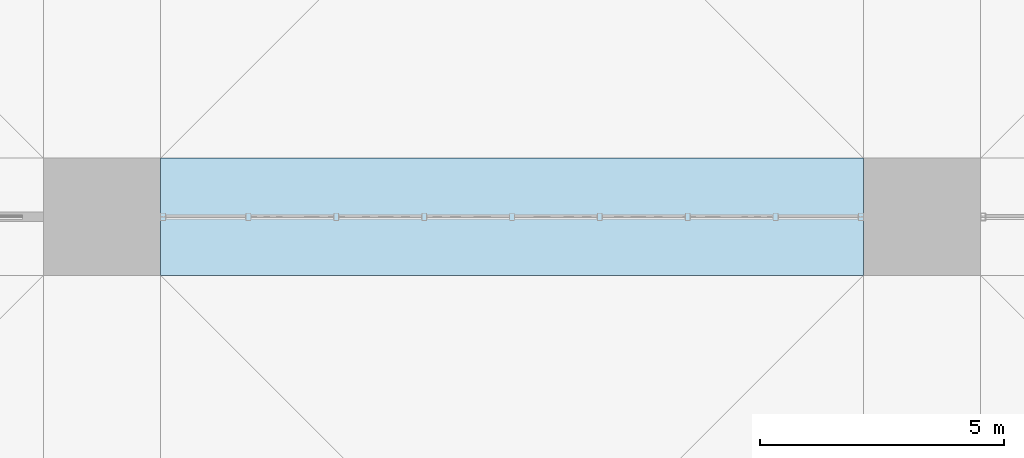
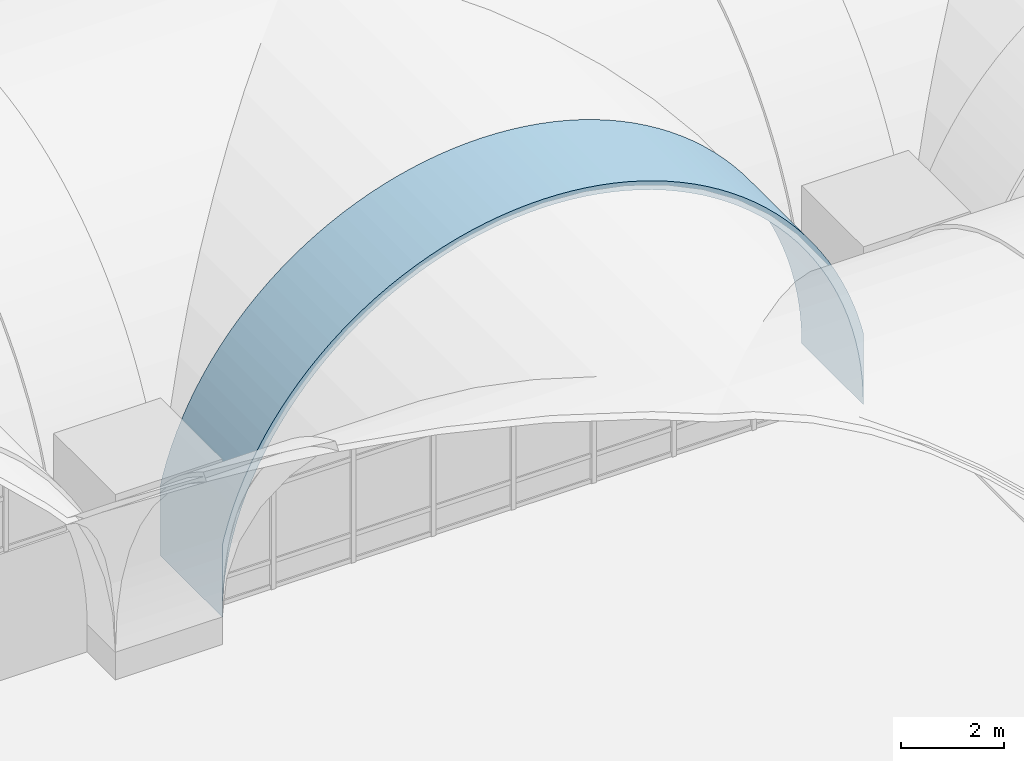
# One storey, part 116 of 169: 1 roof.
"""IFC4 building model written with IfcOpenShell, lengths in metres."""

from ifc_helpers import new_model, si_unit, direction, frame, origin, place, context, subcontext, project, spatial, polygons, material, layer, layer_set, type_object, element, save


model = new_model("IFC4")

# Units and contexts
model_context = context("Model", 3, precision=1e-05, world=origin(), true_north=direction((0.0, 1.0)))
body_context = subcontext(model_context, "Body", "Model", "MODEL_VIEW")
ifc_project = project(units=[si_unit("LENGTHUNIT", "METRE"), si_unit("AREAUNIT", "SQUARE_METRE"), si_unit("VOLUMEUNIT", "CUBIC_METRE"), si_unit("PLANEANGLEUNIT", "RADIAN"), si_unit("MASSUNIT", "GRAM", prefix="KILO")], contexts=[model_context])

# Site, building, storey
site_placement = place(None, origin())
site = spatial("IfcSite", under=ifc_project, at=site_placement, CompositionType="ELEMENT")
building_placement = place(site_placement, origin())
building = spatial("IfcBuilding", under=site, at=building_placement, Name="Verrick Yard Athletic Hall", CompositionType="ELEMENT")
storey_placement = place(building_placement, frame((0.0, 0.0, 4.39990234375)))
storey = spatial("IfcBuildingStorey", under=building, at=storey_placement, Name="L01", CompositionType="ELEMENT", Elevation=4.39990234375)

# Roof
ifc_material = material(Name="Concrete 35 MPa", Category="concrete")
ifc_layer = layer(ifc_material, 0.199951171875)
ifc_layer_set = layer_set([ifc_layer], Name="Arch rib 200")
roof_type = type_object("IfcRoofType", Name="Arch rib 200", PredefinedType="BARREL_ROOF", material=ifc_layer_set)
roof_placement = place(storey_placement, origin())
element("IfcRoof", 1, at=roof_placement, inside=storey, type_object=roof_type, Name="Vault rib M2", PredefinedType="BARREL_ROOF", context=body_context, shape_type="Tessellation", body=[
    polygons([(58.0, 34.800048828125, 2.352294921875), (58.0, 34.800048828125, 0.650146484375), (58.0068359375, 34.800048828125, 0.964111328125), (58.02734375, 34.800048828125, 1.277587890625), (58.0615234375, 34.800048828125, 1.58984375), (58.109375, 34.800048828125, 1.900390625), (58.170654296875, 34.800048828125, 2.20849609375), (58.245361328125, 34.800048828125, 2.513671875), (58.333251953125, 34.800048828125, 2.815185546875), (58.43408203125, 34.800048828125, 3.112548828125), (58.548095703125, 34.800048828125, 3.405517578125), (58.674560546875, 34.800048828125, 3.693115234375), (58.8134765625, 34.800048828125, 3.974609375), (58.964599609375, 34.800048828125, 4.25), (59.127685546875, 34.800048828125, 4.518798828125), (59.302001953125, 34.800048828125, 4.77978515625), (59.48779296875, 34.800048828125, 5.033203125), (59.6845703125, 34.800048828125, 5.278076171875), (59.8916015625, 34.800048828125, 5.514404296875), (60.10888671875, 34.800048828125, 5.7412109375), (60.335693359375, 34.800048828125, 5.95849609375), (60.572021484375, 34.800048828125, 6.16552734375), (60.81689453125, 34.800048828125, 6.3623046875), (61.0703125, 34.800048828125, 6.548095703125), (61.331298828125, 34.800048828125, 6.722412109375), (61.60009765625, 34.800048828125, 6.885498046875), (61.87548828125, 34.800048828125, 7.03662109375), (62.156982421875, 34.800048828125, 7.175537109375), (62.444580078125, 34.800048828125, 7.302001953125), (62.737548828125, 34.800048828125, 7.416015625), (63.034912109375, 34.800048828125, 7.516845703125), (63.33642578125, 34.800048828125, 7.604736328125), (63.6416015625, 34.800048828125, 7.679443359375), (63.94970703125, 34.800048828125, 7.74072265625), (64.26025390625, 34.800048828125, 7.78857421875), (64.572509765625, 34.800048828125, 7.82275390625), (64.885986328125, 34.800048828125, 7.84326171875), (65.199951171875, 34.800048828125, 7.85009765625), (65.51416015625, 34.800048828125, 7.84326171875), (65.827392578125, 34.800048828125, 7.82275390625), (66.139892578125, 34.800048828125, 7.78857421875), (66.4501953125, 34.800048828125, 7.74072265625), (66.75830078125, 34.800048828125, 7.679443359375), (67.0634765625, 34.800048828125, 7.604736328125), (67.364990234375, 34.800048828125, 7.516845703125), (67.66259765625, 34.800048828125, 7.416015625), (67.955322265625, 34.800048828125, 7.302001953125), (68.242919921875, 34.800048828125, 7.175537109375), (68.524658203125, 34.800048828125, 7.03662109375), (68.800048828125, 34.800048828125, 6.885498046875), (69.068603515625, 34.800048828125, 6.722412109375), (69.329833984375, 34.800048828125, 6.548095703125), (69.5830078125, 34.800048828125, 6.3623046875), (69.828125, 34.800048828125, 6.16552734375), (70.064208984375, 34.800048828125, 5.95849609375), (70.291259765625, 34.800048828125, 5.7412109375), (70.50830078125, 34.800048828125, 5.514404296875), (70.715576171875, 34.800048828125, 5.278076171875), (70.912109375, 34.800048828125, 5.033203125), (71.097900390625, 34.800048828125, 4.77978515625), (71.2724609375, 34.800048828125, 4.518798828125), (71.435302734375, 34.800048828125, 4.25), (71.58642578125, 34.800048828125, 3.974609375), (71.725341796875, 34.800048828125, 3.693115234375), (71.851806640625, 34.800048828125, 3.405517578125), (71.9658203125, 34.800048828125, 3.112548828125), (72.06689453125, 34.800048828125, 2.815185546875), (72.15478515625, 34.800048828125, 2.513671875), (72.229248046875, 34.800048828125, 2.20849609375), (72.29052734375, 34.800048828125, 1.900390625), (72.33837890625, 34.800048828125, 1.58984375), (72.37255859375, 34.800048828125, 1.277587890625), (72.39306640625, 34.800048828125, 0.964111328125), (72.39990234375, 34.800048828125, 0.650146484375), (72.39990234375, 34.800048828125, 2.352294921875), (72.347900390625, 34.800048828125, 2.5654296875), (72.257568359375, 34.800048828125, 2.875244140625), (72.15380859375, 34.800048828125, 3.180908203125), (72.03662109375, 34.800048828125, 3.48193359375), (71.90673828125, 34.800048828125, 3.777587890625), (71.763916015625, 34.800048828125, 4.06689453125), (71.608642578125, 34.800048828125, 4.35009765625), (71.441162109375, 34.800048828125, 4.6259765625), (71.26171875, 34.800048828125, 4.89453125), (71.07080078125, 34.800048828125, 5.15478515625), (70.86865234375, 34.800048828125, 5.40673828125), (70.656005859375, 34.800048828125, 5.6494140625), (70.4326171875, 34.800048828125, 5.8828125), (70.199462890625, 34.800048828125, 6.10595703125), (69.95654296875, 34.800048828125, 6.31884765625), (69.704833984375, 34.800048828125, 6.52099609375), (69.444580078125, 34.800048828125, 6.7119140625), (69.176025390625, 34.800048828125, 6.89111328125), (68.89990234375, 34.800048828125, 7.05859375), (68.616943359375, 34.800048828125, 7.214111328125), (68.327392578125, 34.800048828125, 7.356689453125), (68.031982421875, 34.800048828125, 7.48681640625), (67.73095703125, 34.800048828125, 7.603759765625), (67.42529296875, 34.800048828125, 7.70751953125), (67.115234375, 34.800048828125, 7.798095703125), (66.8017578125, 34.800048828125, 7.874755859375), (66.485107421875, 34.800048828125, 7.937744140625), (66.166015625, 34.800048828125, 7.98681640625), (65.844970703125, 34.800048828125, 8.02197265625), (65.522705078125, 34.800048828125, 8.043212890625), (65.199951171875, 34.800048828125, 8.050048828125), (64.877197265625, 34.800048828125, 8.043212890625), (64.554931640625, 34.800048828125, 8.02197265625), (64.234130859375, 34.800048828125, 7.98681640625), (63.9150390625, 34.800048828125, 7.937744140625), (63.598388671875, 34.800048828125, 7.874755859375), (63.28466796875, 34.800048828125, 7.798095703125), (62.974853515625, 34.800048828125, 7.70751953125), (62.669189453125, 34.800048828125, 7.603759765625), (62.3681640625, 34.800048828125, 7.48681640625), (62.072509765625, 34.800048828125, 7.356689453125), (61.783203125, 34.800048828125, 7.214111328125), (61.5, 34.800048828125, 7.05859375), (61.22412109375, 34.800048828125, 6.89111328125), (60.95556640625, 34.800048828125, 6.7119140625), (60.6953125, 34.800048828125, 6.52099609375), (60.443359375, 34.800048828125, 6.31884765625), (60.20068359375, 34.800048828125, 6.10595703125), (59.96728515625, 34.800048828125, 5.8828125), (59.744140625, 34.800048828125, 5.6494140625), (59.53125, 34.800048828125, 5.40673828125), (59.3291015625, 34.800048828125, 5.15478515625), (59.13818359375, 34.800048828125, 4.89453125), (58.958984375, 34.800048828125, 4.6259765625), (58.79150390625, 34.800048828125, 4.35009765625), (58.635986328125, 34.800048828125, 4.06689453125), (58.493408203125, 34.800048828125, 3.777587890625), (58.36328125, 34.800048828125, 3.48193359375), (58.246337890625, 34.800048828125, 3.180908203125), (58.142578125, 34.800048828125, 2.875244140625), (58.052001953125, 34.800048828125, 2.5654296875), (58.0, 37.199951171875, 2.352294921875), (58.0, 37.199951171875, 0.650146484375), (58.0068359375, 37.199951171875, 0.964111328125), (58.02734375, 37.199951171875, 1.277587890625), (58.0615234375, 37.199951171875, 1.58984375), (58.109375, 37.199951171875, 1.900390625), (58.170654296875, 37.199951171875, 2.20849609375), (58.245361328125, 37.199951171875, 2.513671875), (58.333251953125, 37.199951171875, 2.815185546875), (58.43408203125, 37.199951171875, 3.112548828125), (58.548095703125, 37.199951171875, 3.405517578125), (58.674560546875, 37.199951171875, 3.693115234375), (58.8134765625, 37.199951171875, 3.974609375), (58.964599609375, 37.199951171875, 4.25), (59.127685546875, 37.199951171875, 4.518798828125), (59.302001953125, 37.199951171875, 4.77978515625), (59.48779296875, 37.199951171875, 5.033203125), (59.6845703125, 37.199951171875, 5.278076171875), (59.8916015625, 37.199951171875, 5.514404296875), (60.10888671875, 37.199951171875, 5.7412109375), (60.335693359375, 37.199951171875, 5.95849609375), (60.572021484375, 37.199951171875, 6.16552734375), (60.81689453125, 37.199951171875, 6.3623046875), (61.0703125, 37.199951171875, 6.548095703125), (61.331298828125, 37.199951171875, 6.722412109375), (61.60009765625, 37.199951171875, 6.885498046875), (61.87548828125, 37.199951171875, 7.03662109375), (62.156982421875, 37.199951171875, 7.175537109375), (62.444580078125, 37.199951171875, 7.302001953125), (62.737548828125, 37.199951171875, 7.416015625), (63.034912109375, 37.199951171875, 7.516845703125), (63.33642578125, 37.199951171875, 7.604736328125), (63.6416015625, 37.199951171875, 7.679443359375), (63.94970703125, 37.199951171875, 7.74072265625), (64.26025390625, 37.199951171875, 7.78857421875), (64.572509765625, 37.199951171875, 7.82275390625), (64.885986328125, 37.199951171875, 7.84326171875), (65.199951171875, 37.199951171875, 7.85009765625), (65.51416015625, 37.199951171875, 7.84326171875), (65.827392578125, 37.199951171875, 7.82275390625), (66.139892578125, 37.199951171875, 7.78857421875), (66.4501953125, 37.199951171875, 7.74072265625), (66.75830078125, 37.199951171875, 7.679443359375), (67.0634765625, 37.199951171875, 7.604736328125), (67.364990234375, 37.199951171875, 7.516845703125), (67.66259765625, 37.199951171875, 7.416015625), (67.955322265625, 37.199951171875, 7.302001953125), (68.242919921875, 37.199951171875, 7.175537109375), (68.524658203125, 37.199951171875, 7.03662109375), (68.800048828125, 37.199951171875, 6.885498046875), (69.068603515625, 37.199951171875, 6.722412109375), (69.329833984375, 37.199951171875, 6.548095703125), (69.5830078125, 37.199951171875, 6.3623046875), (69.828125, 37.199951171875, 6.16552734375), (70.064208984375, 37.199951171875, 5.95849609375), (70.291259765625, 37.199951171875, 5.7412109375), (70.50830078125, 37.199951171875, 5.514404296875), (70.715576171875, 37.199951171875, 5.278076171875), (70.912109375, 37.199951171875, 5.033203125), (71.097900390625, 37.199951171875, 4.77978515625), (71.2724609375, 37.199951171875, 4.518798828125), (71.435302734375, 37.199951171875, 4.25), (71.58642578125, 37.199951171875, 3.974609375), (71.725341796875, 37.199951171875, 3.693115234375), (71.851806640625, 37.199951171875, 3.405517578125), (71.9658203125, 37.199951171875, 3.112548828125), (72.06689453125, 37.199951171875, 2.815185546875), (72.15478515625, 37.199951171875, 2.513671875), (72.229248046875, 37.199951171875, 2.20849609375), (72.29052734375, 37.199951171875, 1.900390625), (72.33837890625, 37.199951171875, 1.58984375), (72.37255859375, 37.199951171875, 1.277587890625), (72.39306640625, 37.199951171875, 0.964111328125), (72.39990234375, 37.199951171875, 0.650146484375), (72.39990234375, 37.199951171875, 2.352294921875), (72.347900390625, 37.199951171875, 2.5654296875), (72.257568359375, 37.199951171875, 2.875244140625), (72.15380859375, 37.199951171875, 3.180908203125), (72.03662109375, 37.199951171875, 3.48193359375), (71.90673828125, 37.199951171875, 3.777587890625), (71.763916015625, 37.199951171875, 4.06689453125), (71.608642578125, 37.199951171875, 4.35009765625), (71.441162109375, 37.199951171875, 4.6259765625), (71.26171875, 37.199951171875, 4.89453125), (71.07080078125, 37.199951171875, 5.15478515625), (70.86865234375, 37.199951171875, 5.40673828125), (70.656005859375, 37.199951171875, 5.6494140625), (70.4326171875, 37.199951171875, 5.8828125), (70.199462890625, 37.199951171875, 6.10595703125), (69.95654296875, 37.199951171875, 6.31884765625), (69.704833984375, 37.199951171875, 6.52099609375), (69.444580078125, 37.199951171875, 6.7119140625), (69.176025390625, 37.199951171875, 6.89111328125), (68.89990234375, 37.199951171875, 7.05859375), (68.616943359375, 37.199951171875, 7.214111328125), (68.327392578125, 37.199951171875, 7.356689453125), (68.031982421875, 37.199951171875, 7.48681640625), (67.73095703125, 37.199951171875, 7.603759765625), (67.42529296875, 37.199951171875, 7.70751953125), (67.115234375, 37.199951171875, 7.798095703125), (66.8017578125, 37.199951171875, 7.874755859375), (66.485107421875, 37.199951171875, 7.937744140625), (66.166015625, 37.199951171875, 7.98681640625), (65.844970703125, 37.199951171875, 8.02197265625), (65.522705078125, 37.199951171875, 8.043212890625), (65.199951171875, 37.199951171875, 8.050048828125), (64.877197265625, 37.199951171875, 8.043212890625), (64.554931640625, 37.199951171875, 8.02197265625), (64.234130859375, 37.199951171875, 7.98681640625), (63.9150390625, 37.199951171875, 7.937744140625), (63.598388671875, 37.199951171875, 7.874755859375), (63.28466796875, 37.199951171875, 7.798095703125), (62.974853515625, 37.199951171875, 7.70751953125), (62.669189453125, 37.199951171875, 7.603759765625), (62.3681640625, 37.199951171875, 7.48681640625), (62.072509765625, 37.199951171875, 7.356689453125), (61.783203125, 37.199951171875, 7.214111328125), (61.5, 37.199951171875, 7.05859375), (61.22412109375, 37.199951171875, 6.89111328125), (60.95556640625, 37.199951171875, 6.7119140625), (60.6953125, 37.199951171875, 6.52099609375), (60.443359375, 37.199951171875, 6.31884765625), (60.20068359375, 37.199951171875, 6.10595703125), (59.96728515625, 37.199951171875, 5.8828125), (59.744140625, 37.199951171875, 5.6494140625), (59.53125, 37.199951171875, 5.40673828125), (59.3291015625, 37.199951171875, 5.15478515625), (59.13818359375, 37.199951171875, 4.89453125), (58.958984375, 37.199951171875, 4.6259765625), (58.79150390625, 37.199951171875, 4.35009765625), (58.635986328125, 37.199951171875, 4.06689453125), (58.493408203125, 37.199951171875, 3.777587890625), (58.36328125, 37.199951171875, 3.48193359375), (58.246337890625, 37.199951171875, 3.180908203125), (58.142578125, 37.199951171875, 2.875244140625), (58.052001953125, 37.199951171875, 2.5654296875)], [[[1, 2, 3]], [[137, 139, 138]], [[136, 1, 3]], [[272, 139, 137]], [[136, 3, 4]], [[272, 140, 139]], [[136, 4, 5]], [[272, 141, 140]], [[136, 5, 6]], [[272, 142, 141]], [[136, 6, 7]], [[272, 143, 142]], [[136, 7, 8]], [[272, 144, 143]], [[136, 8, 9]], [[272, 145, 144]], [[136, 9, 10]], [[272, 146, 145]], [[136, 10, 11]], [[272, 147, 146]], [[136, 11, 12]], [[272, 148, 147]], [[136, 12, 13]], [[272, 149, 148]], [[73, 74, 75]], [[209, 211, 210]], [[72, 73, 75]], [[208, 211, 209]], [[71, 72, 75]], [[207, 211, 208]], [[70, 71, 75]], [[206, 211, 207]], [[69, 70, 75]], [[205, 211, 206]], [[68, 69, 75]], [[204, 211, 205]], [[67, 68, 75]], [[203, 211, 204]], [[66, 67, 75]], [[202, 211, 203]], [[65, 66, 75]], [[201, 211, 202]], [[64, 65, 75]], [[200, 211, 201]], [[63, 64, 75]], [[199, 211, 200]], [[63, 75, 76]], [[199, 212, 211]], [[63, 76, 77]], [[199, 213, 212]], [[62, 63, 77]], [[198, 213, 199]], [[62, 77, 78]], [[198, 214, 213]], [[61, 62, 78]], [[197, 214, 198]], [[61, 78, 79]], [[197, 215, 214]], [[60, 61, 79]], [[196, 215, 197]], [[60, 79, 80]], [[196, 216, 215]], [[59, 60, 80]], [[195, 216, 196]], [[59, 80, 81]], [[195, 217, 216]], [[58, 59, 81]], [[194, 217, 195]], [[58, 81, 82]], [[194, 218, 217]], [[57, 58, 82]], [[193, 218, 194]], [[57, 82, 83]], [[193, 219, 218]], [[56, 57, 83]], [[192, 219, 193]], [[56, 83, 84]], [[192, 220, 219]], [[55, 56, 84]], [[191, 220, 192]], [[55, 84, 85]], [[191, 221, 220]], [[54, 55, 85]], [[190, 221, 191]], [[54, 85, 86]], [[190, 222, 221]], [[53, 54, 86]], [[189, 222, 190]], [[53, 86, 87]], [[189, 223, 222]], [[52, 53, 87]], [[188, 223, 189]], [[52, 87, 88]], [[188, 224, 223]], [[51, 52, 88]], [[187, 224, 188]], [[51, 88, 89]], [[187, 225, 224]], [[50, 51, 89]], [[186, 225, 187]], [[50, 89, 90]], [[186, 226, 225]], [[49, 50, 90]], [[185, 226, 186]], [[49, 90, 91]], [[185, 227, 226]], [[48, 49, 91]], [[184, 227, 185]], [[48, 91, 92]], [[184, 228, 227]], [[47, 48, 92]], [[183, 228, 184]], [[47, 92, 93]], [[183, 229, 228]], [[46, 47, 93]], [[182, 229, 183]], [[46, 93, 94]], [[182, 230, 229]], [[45, 46, 94]], [[181, 230, 182]], [[45, 94, 95]], [[181, 231, 230]], [[44, 45, 95]], [[180, 231, 181]], [[44, 95, 96]], [[180, 232, 231]], [[43, 44, 96]], [[179, 232, 180]], [[43, 96, 97]], [[179, 233, 232]], [[42, 43, 97]], [[178, 233, 179]], [[42, 97, 98]], [[178, 234, 233]], [[41, 42, 98]], [[177, 234, 178]], [[41, 98, 99]], [[177, 235, 234]], [[40, 41, 99]], [[176, 235, 177]], [[40, 99, 100]], [[176, 236, 235]], [[39, 40, 100]], [[175, 236, 176]], [[39, 100, 101]], [[175, 237, 236]], [[38, 39, 101]], [[174, 237, 175]], [[38, 101, 102]], [[174, 238, 237]], [[37, 38, 102]], [[173, 238, 174]], [[37, 102, 103]], [[173, 239, 238]], [[36, 37, 103]], [[172, 239, 173]], [[36, 103, 104]], [[172, 240, 239]], [[35, 36, 104]], [[171, 240, 172]], [[35, 104, 105]], [[171, 241, 240]], [[34, 35, 105]], [[170, 241, 171]], [[34, 105, 106]], [[170, 242, 241]], [[33, 34, 106]], [[169, 242, 170]], [[33, 106, 107]], [[169, 243, 242]], [[32, 33, 107]], [[168, 243, 169]], [[32, 107, 108]], [[168, 244, 243]], [[31, 32, 108]], [[167, 244, 168]], [[31, 108, 109]], [[167, 245, 244]], [[30, 31, 109]], [[166, 245, 167]], [[30, 109, 110]], [[166, 246, 245]], [[29, 30, 110]], [[165, 246, 166]], [[29, 110, 111]], [[165, 247, 246]], [[28, 29, 111]], [[164, 247, 165]], [[28, 111, 112]], [[164, 248, 247]], [[27, 28, 112]], [[163, 248, 164]], [[27, 112, 113]], [[163, 249, 248]], [[26, 27, 113]], [[162, 249, 163]], [[26, 113, 114]], [[162, 250, 249]], [[25, 26, 114]], [[161, 250, 162]], [[25, 114, 115]], [[161, 251, 250]], [[24, 25, 115]], [[160, 251, 161]], [[24, 115, 116]], [[160, 252, 251]], [[23, 24, 116]], [[159, 252, 160]], [[23, 116, 117]], [[159, 253, 252]], [[22, 23, 117]], [[158, 253, 159]], [[22, 117, 118]], [[158, 254, 253]], [[21, 22, 118]], [[157, 254, 158]], [[21, 118, 119]], [[157, 255, 254]], [[20, 21, 119]], [[156, 255, 157]], [[20, 119, 120]], [[156, 256, 255]], [[19, 20, 120]], [[155, 256, 156]], [[19, 120, 121]], [[155, 257, 256]], [[18, 19, 121]], [[154, 257, 155]], [[18, 121, 122]], [[154, 258, 257]], [[17, 18, 122]], [[153, 258, 154]], [[17, 122, 123]], [[153, 259, 258]], [[16, 17, 123]], [[152, 259, 153]], [[16, 123, 124]], [[152, 260, 259]], [[15, 16, 124]], [[151, 260, 152]], [[15, 124, 125]], [[151, 261, 260]], [[14, 15, 125]], [[150, 261, 151]], [[14, 125, 126]], [[150, 262, 261]], [[13, 14, 126]], [[149, 262, 150]], [[136, 13, 126]], [[272, 262, 149]], [[136, 126, 127]], [[272, 263, 262]], [[136, 127, 128]], [[272, 264, 263]], [[136, 128, 129]], [[272, 265, 264]], [[136, 129, 130]], [[272, 266, 265]], [[136, 130, 131]], [[272, 267, 266]], [[136, 131, 132]], [[272, 268, 267]], [[136, 132, 133]], [[272, 269, 268]], [[136, 133, 134]], [[272, 270, 269]], [[134, 135, 136]], [[270, 272, 271]], [[1, 138, 2]], [[1, 137, 138]], [[2, 139, 3]], [[2, 138, 139]], [[3, 140, 4]], [[3, 139, 140]], [[4, 141, 5]], [[4, 140, 141]], [[5, 142, 6]], [[5, 141, 142]], [[6, 143, 7]], [[6, 142, 143]], [[7, 144, 8]], [[7, 143, 144]], [[8, 145, 9]], [[8, 144, 145]], [[9, 146, 10]], [[9, 145, 146]], [[10, 147, 11]], [[10, 146, 147]], [[11, 148, 12]], [[11, 147, 148]], [[12, 149, 13]], [[12, 148, 149]], [[13, 150, 14]], [[13, 149, 150]], [[14, 151, 15]], [[14, 150, 151]], [[15, 152, 16]], [[15, 151, 152]], [[16, 153, 17]], [[16, 152, 153]], [[17, 154, 18]], [[17, 153, 154]], [[18, 155, 19]], [[18, 154, 155]], [[19, 156, 20]], [[19, 155, 156]], [[20, 157, 21]], [[20, 156, 157]], [[21, 158, 22]], [[21, 157, 158]], [[22, 159, 23]], [[22, 158, 159]], [[23, 160, 24]], [[23, 159, 160]], [[24, 161, 25]], [[24, 160, 161]], [[25, 162, 26]], [[25, 161, 162]], [[26, 163, 27]], [[26, 162, 163]], [[27, 164, 28]], [[27, 163, 164]], [[28, 165, 29]], [[28, 164, 165]], [[29, 166, 30]], [[29, 165, 166]], [[30, 167, 31]], [[30, 166, 167]], [[31, 168, 32]], [[31, 167, 168]], [[32, 169, 33]], [[32, 168, 169]], [[33, 170, 34]], [[33, 169, 170]], [[34, 171, 35]], [[34, 170, 171]], [[35, 172, 36]], [[35, 171, 172]], [[36, 173, 37]], [[36, 172, 173]], [[37, 174, 38]], [[37, 173, 174]], [[38, 175, 39]], [[38, 174, 175]], [[39, 176, 40]], [[39, 175, 176]], [[40, 177, 41]], [[40, 176, 177]], [[41, 178, 42]], [[41, 177, 178]], [[42, 179, 43]], [[42, 178, 179]], [[43, 180, 44]], [[43, 179, 180]], [[44, 181, 45]], [[44, 180, 181]], [[45, 182, 46]], [[45, 181, 182]], [[46, 183, 47]], [[46, 182, 183]], [[47, 184, 48]], [[47, 183, 184]], [[48, 185, 49]], [[48, 184, 185]], [[49, 186, 50]], [[49, 185, 186]], [[50, 187, 51]], [[50, 186, 187]], [[51, 188, 52]], [[51, 187, 188]], [[52, 189, 53]], [[52, 188, 189]], [[53, 190, 54]], [[53, 189, 190]], [[54, 191, 55]], [[54, 190, 191]], [[55, 192, 56]], [[55, 191, 192]], [[56, 193, 57]], [[56, 192, 193]], [[57, 194, 58]], [[57, 193, 194]], [[58, 195, 59]], [[58, 194, 195]], [[59, 196, 60]], [[59, 195, 196]], [[60, 197, 61]], [[60, 196, 197]], [[61, 198, 62]], [[61, 197, 198]], [[62, 199, 63]], [[62, 198, 199]], [[63, 200, 64]], [[63, 199, 200]], [[64, 201, 65]], [[64, 200, 201]], [[65, 202, 66]], [[65, 201, 202]], [[66, 203, 67]], [[66, 202, 203]], [[67, 204, 68]], [[67, 203, 204]], [[68, 205, 69]], [[68, 204, 205]], [[69, 206, 70]], [[69, 205, 206]], [[70, 207, 71]], [[70, 206, 207]], [[71, 208, 72]], [[71, 207, 208]], [[72, 209, 73]], [[72, 208, 209]], [[73, 210, 74]], [[73, 209, 210]], [[74, 211, 75]], [[74, 210, 211]], [[75, 212, 76]], [[75, 211, 212]], [[76, 213, 77]], [[76, 212, 213]], [[77, 214, 78]], [[77, 213, 214]], [[78, 215, 79]], [[78, 214, 215]], [[79, 216, 80]], [[79, 215, 216]], [[80, 217, 81]], [[80, 216, 217]], [[81, 218, 82]], [[81, 217, 218]], [[82, 219, 83]], [[82, 218, 219]], [[83, 220, 84]], [[83, 219, 220]], [[84, 221, 85]], [[84, 220, 221]], [[85, 222, 86]], [[85, 221, 222]], [[86, 223, 87]], [[86, 222, 223]], [[87, 224, 88]], [[87, 223, 224]], [[88, 225, 89]], [[88, 224, 225]], [[89, 226, 90]], [[89, 225, 226]], [[90, 227, 91]], [[90, 226, 227]], [[91, 228, 92]], [[91, 227, 228]], [[92, 229, 93]], [[92, 228, 229]], [[93, 230, 94]], [[93, 229, 230]], [[94, 231, 95]], [[94, 230, 231]], [[95, 232, 96]], [[95, 231, 232]], [[96, 233, 97]], [[96, 232, 233]], [[97, 234, 98]], [[97, 233, 234]], [[98, 235, 99]], [[98, 234, 235]], [[99, 236, 100]], [[99, 235, 236]], [[100, 237, 101]], [[100, 236, 237]], [[101, 238, 102]], [[101, 237, 238]], [[102, 239, 103]], [[102, 238, 239]], [[103, 240, 104]], [[103, 239, 240]], [[104, 241, 105]], [[104, 240, 241]], [[105, 242, 106]], [[105, 241, 242]], [[106, 243, 107]], [[106, 242, 243]], [[107, 244, 108]], [[107, 243, 244]], [[108, 245, 109]], [[108, 244, 245]], [[109, 246, 110]], [[109, 245, 246]], [[110, 247, 111]], [[110, 246, 247]], [[111, 248, 112]], [[111, 247, 248]], [[112, 249, 113]], [[112, 248, 249]], [[113, 250, 114]], [[113, 249, 250]], [[114, 251, 115]], [[114, 250, 251]], [[115, 252, 116]], [[115, 251, 252]], [[116, 253, 117]], [[116, 252, 253]], [[117, 254, 118]], [[117, 253, 254]], [[118, 255, 119]], [[118, 254, 255]], [[119, 256, 120]], [[119, 255, 256]], [[120, 257, 121]], [[120, 256, 257]], [[121, 258, 122]], [[121, 257, 258]], [[122, 259, 123]], [[122, 258, 259]], [[123, 260, 124]], [[123, 259, 260]], [[124, 261, 125]], [[124, 260, 261]], [[125, 262, 126]], [[125, 261, 262]], [[126, 263, 127]], [[126, 262, 263]], [[127, 264, 128]], [[127, 263, 264]], [[128, 265, 129]], [[128, 264, 265]], [[129, 266, 130]], [[129, 265, 266]], [[130, 267, 131]], [[130, 266, 267]], [[131, 268, 132]], [[131, 267, 268]], [[132, 269, 133]], [[132, 268, 269]], [[133, 270, 134]], [[133, 269, 270]], [[134, 271, 135]], [[134, 270, 271]], [[135, 272, 136]], [[135, 271, 272]], [[136, 137, 1]], [[136, 272, 137]]], closed=True),
])

save(model, "model.ifc")
